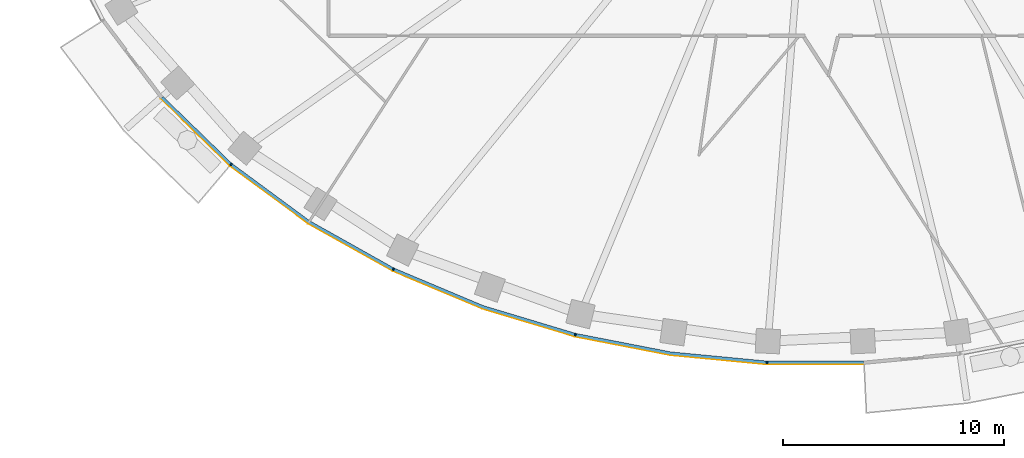
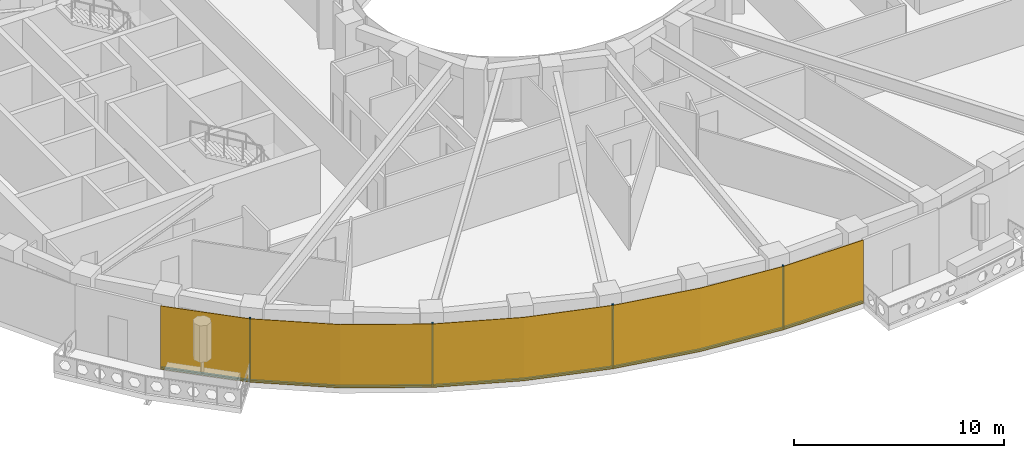
# One storey, part 8 of 16: 9 members, 1 curtain wall.
"""IFC4 building model written with IfcOpenShell, lengths in metres."""

from ifc_helpers import new_model, si_unit, direction, frame, origin, origin_2d, place, context, subcontext, project, spatial, polyline, rectangle, outline, extrude, material, layer, layer_set, material_profile, profile_set, type_object, element, aggregate, save


model = new_model("IFC4")

# Units and contexts
model_context = context("Model", 3, precision=1e-05, world=origin(), true_north=direction((0.0, 1.0)))
body_context = subcontext(model_context, "Body", "Model", "MODEL_VIEW")
ifc_project = project(units=[si_unit("LENGTHUNIT", "METRE"), si_unit("AREAUNIT", "SQUARE_METRE"), si_unit("VOLUMEUNIT", "CUBIC_METRE"), si_unit("PLANEANGLEUNIT", "RADIAN"), si_unit("MASSUNIT", "GRAM", prefix="KILO")], contexts=[model_context])

# Member
ifc_material_1 = material(Name="Aluminium 6063-T6 black anodised", Category="aluminium")
ifc_material_profile = material_profile(ifc_material_1, rectangle(XDim=0.1201171875, YDim=0.06005859375, at=origin_2d()), Name="120x60")
ifc_profile_set = profile_set([ifc_material_profile], Name="Aluminium 6063-T6 black anodised")
member_type_1 = type_object("IfcMemberType", Name="ENV-MULLION-A-120", PredefinedType="MULLION", material=ifc_profile_set)
site_placement = place(None, origin())
building_placement = place(site_placement, origin())
storey_placement = place(building_placement, frame((0.0, 0.0, 257.5)))
member_1_placement = place(storey_placement, frame((-26.403564453125, -18.9130859375, 0.0), z_axis=(0.0, 0.0, 1.0), x_axis=(0.646451313783, 0.762955240435, 0.0)))
member_1 = element("IfcMember", 1, at=member_1_placement, type_object=member_type_1, Name="Mullion A radial 29", PredefinedType="MULLION", context=body_context, shape_type="SweptSolid", body=[
    extrude(rectangle(XDim=0.1201171875, YDim=0.06005859375, at=origin_2d()), origin(), (0.0, 0.0, 1.0), 3.699951171875),
])

member_2_placement = place(storey_placement, frame((-19.06787109375, -23.6474609375, 0.0), z_axis=(0.0, 0.0, 1.0), x_axis=(0.439237769837, 0.898370848563, 0.0)))
member_2 = element("IfcMember", 2, at=member_2_placement, type_object=member_type_1, Name="Mullion A radial 31", PredefinedType="MULLION", context=body_context, shape_type="SweptSolid", body=[
    extrude(rectangle(XDim=0.1201171875, YDim=0.06005859375, at=origin_2d()), origin(), (0.0, 0.0, 1.0), 3.699951171875),
])

member_3_placement = place(storey_placement, frame((-10.84326171875, -26.60498046875, 0.0), z_axis=(0.0, 0.0, 1.0), x_axis=(0.239799081534, 0.970822538106, 0.0)))
member_3 = element("IfcMember", 3, at=member_3_placement, type_object=member_type_1, Name="Mullion A radial 33", PredefinedType="MULLION", context=body_context, shape_type="SweptSolid", body=[
    extrude(rectangle(XDim=0.1201171875, YDim=0.06005859375, at=origin_2d()), origin(), (0.0, 0.0, 1.0), 3.699951171875),
])

member_4_placement = place(storey_placement, frame((-2.188720703125, -27.856201171875, 0.0), z_axis=(0.0, 0.0, 1.0), x_axis=(0.047557873581, 0.998868484166, 0.0)))
member_4 = element("IfcMember", 4, at=member_4_placement, type_object=member_type_1, Name="Mullion A radial 35", PredefinedType="MULLION", context=body_context, shape_type="SweptSolid", body=[
    extrude(rectangle(XDim=0.1201171875, YDim=0.06005859375, at=origin_2d()), origin(), (0.0, 0.0, 1.0), 3.699951171875),
])

ifc_material_2 = material(Name="Aluminium 6063-T6 black anodised", Category="aluminium")
member_type_2 = type_object("IfcMemberType", Name="ENV-TRANSOM-A", PredefinedType="USERDEFINED", material=ifc_material_2)
member_5_placement = place(storey_placement, origin())
member_5 = element("IfcMember", 5, at=member_5_placement, type_object=member_type_2, Name="Transom A radial 28-29", ObjectType="TRANSOM", PredefinedType="USERDEFINED", context=body_context, shape_type="SweptSolid", body=[
    extrude(outline(polyline([(-29.569091796875, -15.9208984375), (-26.46240234375, -18.939208984375), (-26.384765625, -18.847412109375), (-29.47900390625, -15.841064453125), (-29.569091796875, -15.9208984375)])), origin(), (0.0, 0.0, 1.0), 0.10009765625),
])

member_6_placement = place(storey_placement, origin())
member_6 = element("IfcMember", 6, at=member_6_placement, type_object=member_type_2, Name="Transom A radial 29-31", ObjectType="TRANSOM", PredefinedType="USERDEFINED", context=body_context, shape_type="SweptSolid", body=[
    extrude(outline(polyline([(-26.419921875, -18.975341796875), (-22.9150390625, -21.556884765625), (-19.11865234375, -23.687744140625), (-19.06591796875, -23.57958984375), (-22.85009765625, -21.455810546875), (-26.342041015625, -18.883544921875), (-26.419921875, -18.975341796875)])), origin(), (0.0, 0.0, 1.0), 0.10009765625),
])

member_7_placement = place(storey_placement, origin())
member_7 = element("IfcMember", 7, at=member_7_placement, type_object=member_type_2, Name="Transom A radial 31-33", ObjectType="TRANSOM", PredefinedType="USERDEFINED", context=body_context, shape_type="SweptSolid", body=[
    extrude(outline(polyline([(-19.068359375, -23.71240234375), (-15.054443359375, -25.400146484375), (-10.884521484375, -26.655029296875), (-10.855712890625, -26.53857421875), (-15.013916015625, -25.287109375), (-19.015380859375, -23.604248046875), (-19.068359375, -23.71240234375)])), origin(), (0.0, 0.0, 1.0), 0.10009765625),
])

member_8_placement = place(storey_placement, origin())
member_8 = element("IfcMember", 8, at=member_8_placement, type_object=member_type_2, Name="Transom A radial 33-35", ObjectType="TRANSOM", PredefinedType="USERDEFINED", context=body_context, shape_type="SweptSolid", body=[
    extrude(outline(polyline([(-10.830078125, -26.66845703125), (-6.55517578125, -27.49951171875), (-2.219482421875, -27.913330078125), (-2.2138671875, -27.793212890625), (-6.537841796875, -27.380615234375), (-10.80126953125, -26.552001953125), (-10.830078125, -26.66845703125)])), origin(), (0.0, 0.0, 1.0), 0.10009765625),
])

member_9_placement = place(storey_placement, origin())
member_9 = element("IfcMember", 9, at=member_9_placement, type_object=member_type_2, Name="Transom A radial 35-36", ObjectType="TRANSOM", PredefinedType="USERDEFINED", context=body_context, shape_type="SweptSolid", body=[
    extrude(outline(polyline([(-2.163818359375, -27.916015625), (2.171630859375, -27.916015625), (2.166015625, -27.7958984375), (-2.157958984375, -27.7958984375), (-2.163818359375, -27.916015625)])), origin(), (0.0, 0.0, 1.0), 0.10009765625),
])

# Site, building, storey
site = spatial("IfcSite", under=ifc_project, at=site_placement, CompositionType="ELEMENT")
building = spatial("IfcBuilding", under=site, at=building_placement, Name="Noorbagh Ring Tower", CompositionType="ELEMENT")
storey = spatial("IfcBuildingStorey", under=building, at=storey_placement, Name="L54", CompositionType="ELEMENT", Elevation=257.5)

# Curtain wall
ifc_material_3 = material(Name="Glass dark tinted laminated", Category="glass")
ifc_layer = layer(ifc_material_3, 0.031982421875)
ifc_layer_set = layer_set([ifc_layer], Name="Glass dark tinted laminated")
curtain_wall_type = type_object("IfcCurtainWallType", Name="ENV-CW-A", PredefinedType="NOTDEFINED", material=ifc_layer_set)
curtain_wall_placement = place(storey_placement, origin())
curtain_wall = element("IfcCurtainWall", 10, at=curtain_wall_placement, inside=storey, type_object=curtain_wall_type, Name="Curtain wall A R28", PredefinedType="NOTDEFINED", context=body_context, shape_type="SweptSolid", body=[
    extrude(outline(polyline([(-29.59326171875, -15.942138671875), (-26.463134765625, -18.9833984375), (-22.9326171875, -21.583740234375), (-19.108154296875, -23.730224609375), (-15.065185546875, -25.430419921875), (-10.865234375, -26.6943359375), (-6.559814453125, -27.53125), (-2.193115234375, -27.947998046875), (2.173095703125, -27.947998046875), (2.171630859375, -27.916015625), (-2.191650390625, -27.916015625), (-6.55517578125, -27.49951171875), (-10.857666015625, -26.6630859375), (-15.054443359375, -25.400146484375), (-19.093994140625, -23.701416015625), (-22.9150390625, -21.556884765625), (-26.4423828125, -18.958740234375), (-29.569091796875, -15.9208984375), (-29.59326171875, -15.942138671875)])), origin(), (0.0, 0.0, 1.0), 3.699951171875),
])

aggregate(curtain_wall, [member_1, member_2, member_3, member_4, member_5, member_6, member_7, member_8, member_9])

save(model, "model.ifc")
